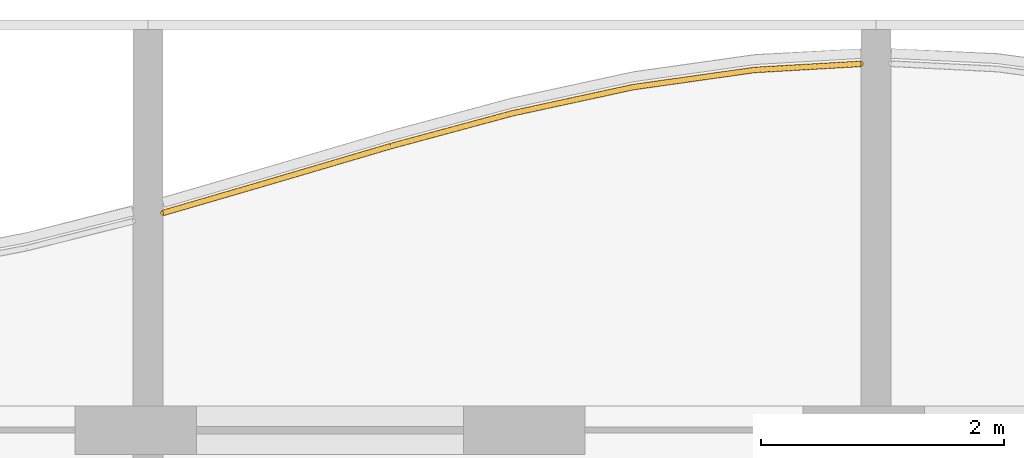
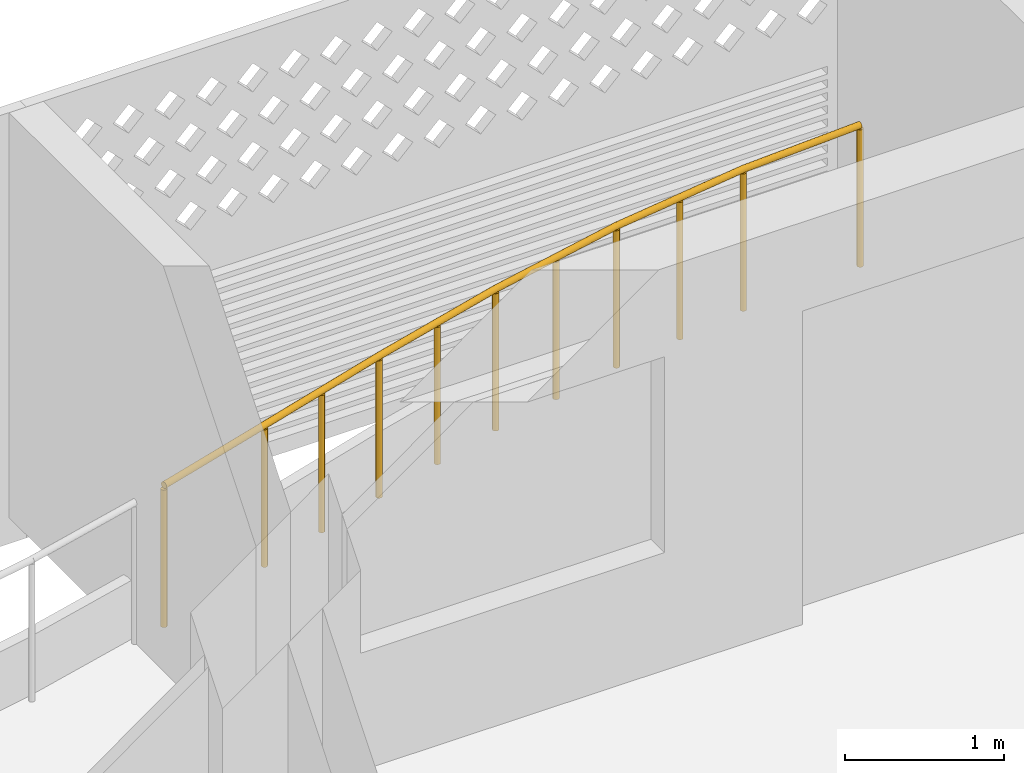
# One storey, part 23 of 26: 1 railing.
"""IFC4 building model written with IfcOpenShell, lengths in metres."""

from ifc_helpers import new_model, si_unit, direction, frame, origin, origin_2d, place, context, subcontext, project, spatial, circle, extrude, material, type_object, element, save


model = new_model("IFC4")

# Units and contexts
model_context = context("Model", 3, precision=1e-05, world=origin(), true_north=direction((0.0, 1.0)))
body_context = subcontext(model_context, "Body", "Model", "MODEL_VIEW")
ifc_project = project(units=[si_unit("LENGTHUNIT", "METRE"), si_unit("AREAUNIT", "SQUARE_METRE"), si_unit("VOLUMEUNIT", "CUBIC_METRE"), si_unit("PLANEANGLEUNIT", "RADIAN"), si_unit("MASSUNIT", "GRAM", prefix="KILO")], contexts=[model_context])

# Site, building, storey
site_placement = place(None, origin())
site = spatial("IfcSite", under=ifc_project, at=site_placement, CompositionType="ELEMENT")
building_placement = place(site_placement, origin())
building = spatial("IfcBuilding", under=site, at=building_placement, Name="Poui Terraces", CompositionType="ELEMENT")
storey_placement = place(building_placement, frame((0.0, 0.0, 247.800048828125)))
storey = spatial("IfcBuildingStorey", under=building, at=storey_placement, Name="L69", CompositionType="ELEMENT", Elevation=247.800048828125)

# Railing
ifc_material = material(Name="Painted steel fretwork", Category="steel")
railing_type = type_object("IfcRailingType", Name="BALCONY GUARD 1100", PredefinedType="GUARDRAIL", material=ifc_material)
railing_placement = place(storey_placement, frame((66.125, 42.990234375, 0.0)))
element("IfcRailing", 1, at=railing_placement, inside=storey, type_object=railing_type, Name="BALCONY GUARD", PredefinedType="GUARDRAIL", context=body_context, shape_type="SweptSolid", body=[
    extrude(circle(Radius=0.02392578125, at=origin_2d()), frame((0.0, 0.0, 1.076171875), z_axis=(0.960023997073, 0.2799177112, 0.0), x_axis=(-0.2799177112, 0.960023997073, 0.0)), (0.0, 0.0, 1.0), 0.911376953125),
    extrude(circle(Radius=0.02392578125, at=origin_2d()), frame((0.875, 0.255126953125, 1.076171875), z_axis=(0.959156425707, 0.282876211488, 0.0), x_axis=(-0.282876211488, 0.959156425707, 0.0)), (0.0, 0.0, 1.0), 1.04248046875),
    extrude(circle(Radius=0.02392578125, at=origin_2d()), frame((1.875, 0.550048828125, 1.076171875), z_axis=(0.965424337217, 0.260683426993, 0.0), x_axis=(-0.260683426993, 0.965424337217, 0.0)), (0.0, 0.0, 1.0), 1.035888671875),
    extrude(circle(Radius=0.02392578125, at=origin_2d()), frame((2.875, 0.820068359375, 1.076171875), z_axis=(0.977296797445, 0.211874891633, 0.0), x_axis=(-0.211874891633, 0.977296797445, 0.0)), (0.0, 0.0, 1.0), 1.023193359375),
    extrude(circle(Radius=0.02392578125, at=origin_2d()), frame((3.875, 1.036865234375, 1.076171875), z_axis=(0.99015631817, 0.13996594439, 0.0), x_axis=(-0.13996594439, 0.99015631817, 0.0)), (0.0, 0.0, 1.0), 1.010009765625),
    extrude(circle(Radius=0.02392578125, at=origin_2d()), frame((4.875, 1.17822265625, 1.076171875), z_axis=(0.998352239869, 0.057382969144, 0.0), x_axis=(-0.057382969144, 0.998352239869, 0.0)), (0.0, 0.0, 1.0), 0.87646484375),
    extrude(circle(Radius=0.02099609375, at=origin_2d()), origin(), (0.0, 0.0, 1.0), 1.052001953125),
    extrude(circle(Radius=0.02099609375, at=origin_2d()), frame((0.875, 0.255126953125, 0.0)), (0.0, 0.0, 1.0), 1.052001953125),
    extrude(circle(Radius=0.02099609375, at=origin_2d()), frame((1.375, 0.402587890625, 0.0)), (0.0, 0.0, 1.0), 1.052001953125),
    extrude(circle(Radius=0.02099609375, at=origin_2d()), frame((1.875, 0.550048828125, 0.0)), (0.0, 0.0, 1.0), 1.052001953125),
    extrude(circle(Radius=0.02099609375, at=origin_2d()), frame((2.375, 0.68505859375, 0.0)), (0.0, 0.0, 1.0), 1.052001953125),
    extrude(circle(Radius=0.02099609375, at=origin_2d()), frame((2.875, 0.820068359375, 0.0)), (0.0, 0.0, 1.0), 1.052001953125),
    extrude(circle(Radius=0.02099609375, at=origin_2d()), frame((3.375, 0.928466796875, 0.0)), (0.0, 0.0, 1.0), 1.052001953125),
    extrude(circle(Radius=0.02099609375, at=origin_2d()), frame((3.875, 1.036865234375, 0.0)), (0.0, 0.0, 1.0), 1.052001953125),
    extrude(circle(Radius=0.02099609375, at=origin_2d()), frame((4.375, 1.107421875, 0.0)), (0.0, 0.0, 1.0), 1.052001953125),
    extrude(circle(Radius=0.02099609375, at=origin_2d()), frame((4.875, 1.17822265625, 0.0)), (0.0, 0.0, 1.0), 1.052001953125),
    extrude(circle(Radius=0.02099609375, at=origin_2d()), frame((5.75, 1.228515625, 0.0)), (0.0, 0.0, 1.0), 1.052001953125),
])

save(model, "model.ifc")
